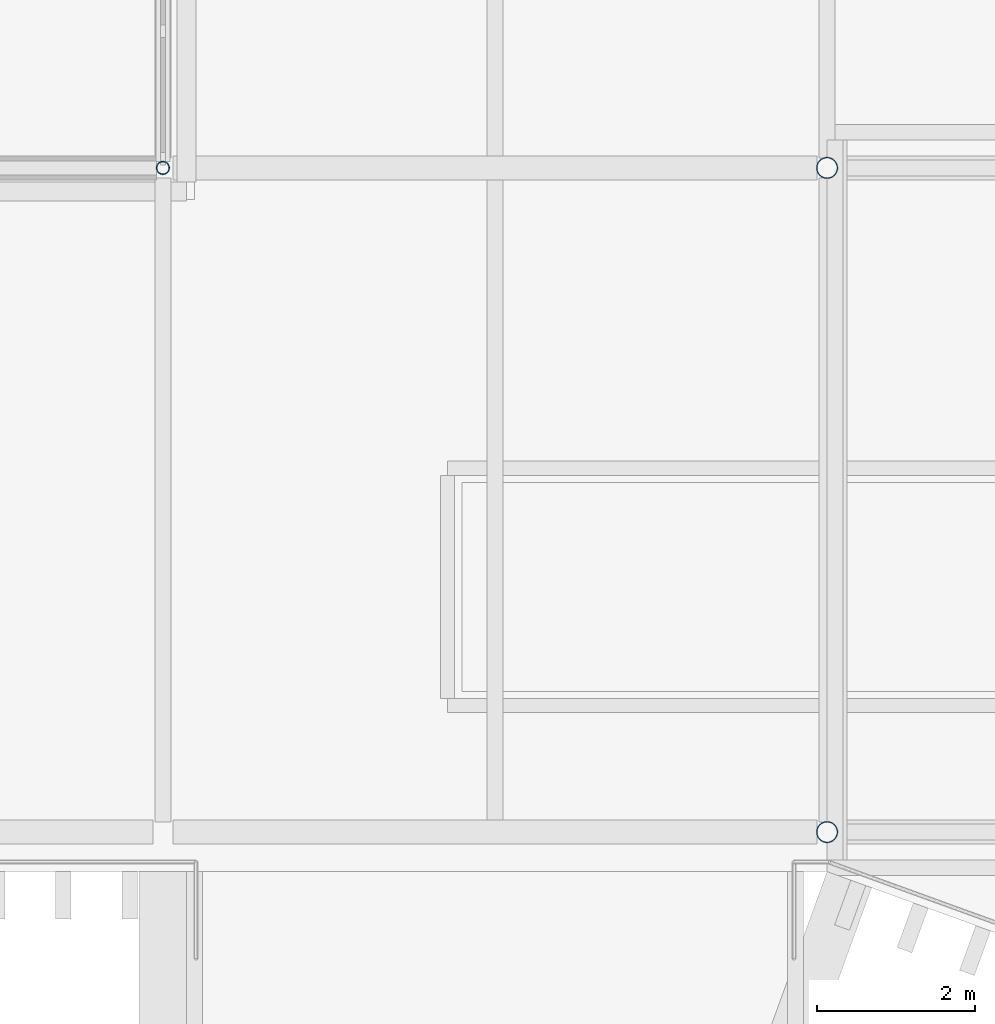
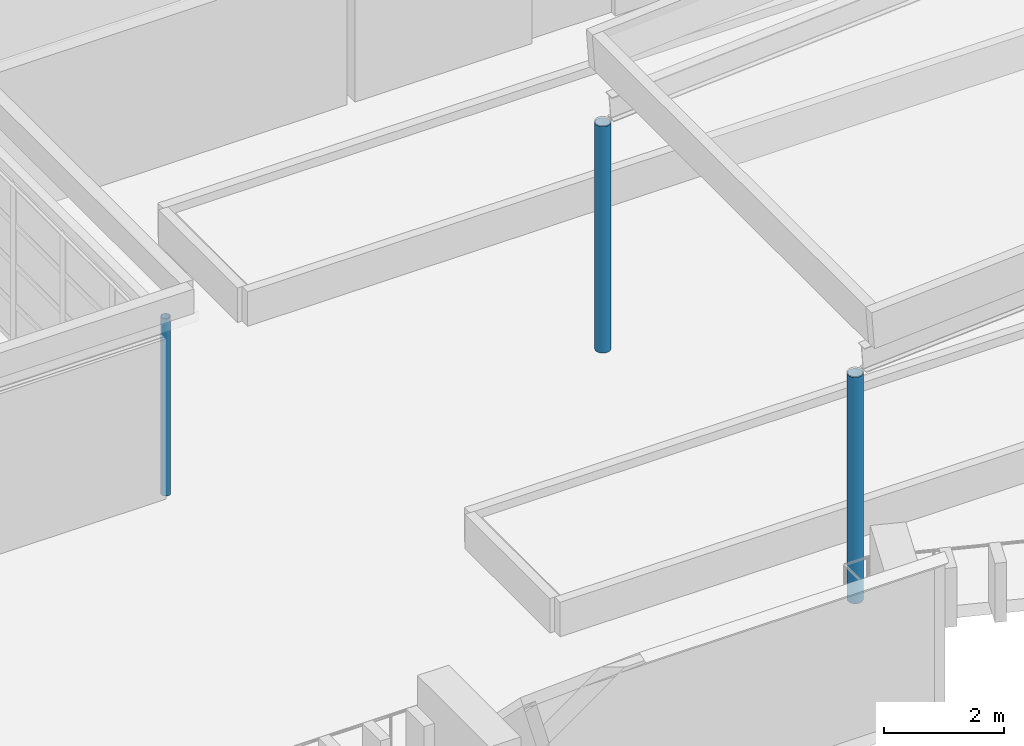
# One storey, part 5 of 51: 3 columns.
"""IFC4 building model written with IfcOpenShell, lengths in metres."""

from ifc_helpers import new_model, si_unit, direction, frame, origin, origin_2d, place, context, subcontext, project, spatial, hollow_circle, extrude, material, material_profile, profile_set, type_object, element, save


model = new_model("IFC4")

# Units and contexts
model_context = context("Model", 3, precision=1e-05, world=origin(), true_north=direction((0.0, 1.0)))
body_context = subcontext(model_context, "Body", "Model", "MODEL_VIEW")
ifc_project = project(units=[si_unit("LENGTHUNIT", "METRE"), si_unit("AREAUNIT", "SQUARE_METRE"), si_unit("VOLUMEUNIT", "CUBIC_METRE"), si_unit("PLANEANGLEUNIT", "RADIAN"), si_unit("MASSUNIT", "GRAM", prefix="KILO")], contexts=[model_context])

# Site, building, storey
site_placement = place(None, origin())
site = spatial("IfcSite", under=ifc_project, at=site_placement, CompositionType="ELEMENT")
building_placement = place(site_placement, origin())
building = spatial("IfcBuilding", under=site, at=building_placement, Name="Cresset Court Congress Hotel", CompositionType="ELEMENT")
storey_placement = place(building_placement, frame((0.0, 0.0, 18.60009765625)))
storey = spatial("IfcBuildingStorey", under=building, at=storey_placement, Name="L04", CompositionType="ELEMENT", Elevation=18.60009765625)

# Columns
ifc_material_1 = material(Name="Structural steel Q355B", Category="steel")
ifc_material_profile_1 = material_profile(ifc_material_1, hollow_circle(Radius=0.083984375, WallThickness=0.008056640625, at=origin_2d()), Name="CHS168x8")
ifc_profile_set_1 = profile_set([ifc_material_profile_1], Name="Structural steel Q355B")
column_type_1 = type_object("IfcColumnType", Name="Steel column CHS168x8", PredefinedType="COLUMN", material=ifc_profile_set_1)
column_placement = place(storey_placement, frame((92.39990234375, 8.39990234375, 0.0), z_axis=(0.0, 0.0, 1.0), x_axis=(1.0, 0.0, 0.0)))
element("IfcColumn", 1, at=column_placement, inside=storey, type_object=column_type_1, Name="Pavilion column", PredefinedType="COLUMN", context=body_context, shape_type="SweptSolid", body=[
    extrude(hollow_circle(Radius=0.083984375, WallThickness=0.008056640625, at=origin_2d()), origin(), (0.0, 0.0, 1.0), 3.599853515625),
])
ifc_material_2 = material(Name="Structural steel Q355B", Category="steel")
ifc_material_profile_2 = material_profile(ifc_material_2, hollow_circle(Radius=0.136474609375, WallThickness=0.011962890625, at=origin_2d()), Name="CHS273x12")
ifc_profile_set_2 = profile_set([ifc_material_profile_2], Name="Structural steel Q355B")
column_type_2 = type_object("IfcColumnType", Name="Steel column CHS273x12", PredefinedType="COLUMN", material=ifc_profile_set_2)
for number, where, z_axis, x_axis, name in (
    (2, (100.800048828125, 0.0, 0.0), (0.0, 0.0, 1.0), (1.0, 0.0, 0.0), "Roof column 13A"),
    (3, (100.800048828125, 8.39990234375, 0.0), (0.0, 0.0, 1.0), (1.0, 0.0, 0.0), "Roof column 13B"),
):
    element("IfcColumn", number, at=place(storey_placement, frame(where, z_axis=z_axis, x_axis=x_axis)), inside=storey, type_object=column_type_2, Name=name, PredefinedType="COLUMN", context=body_context, shape_type="SweptSolid", body=[
        extrude(hollow_circle(Radius=0.136474609375, WallThickness=0.011962890625, at=origin_2d()), origin(), (0.0, 0.0, 1.0), 4.599853515625),
    ])

save(model, "model.ifc")
